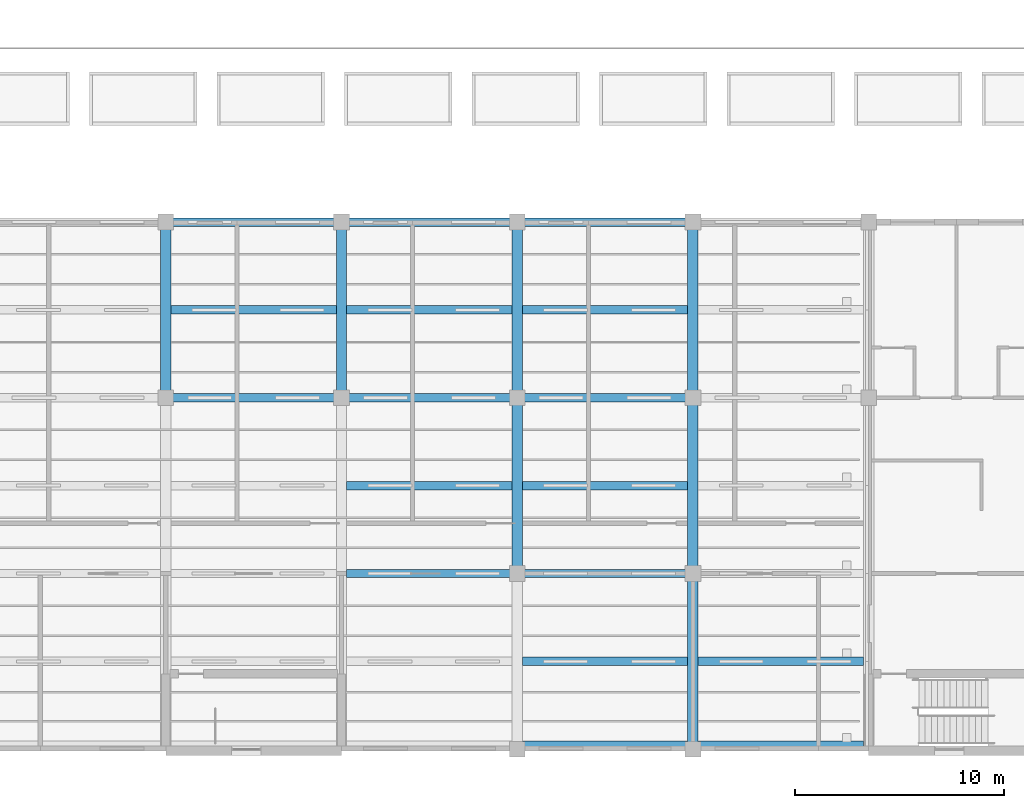
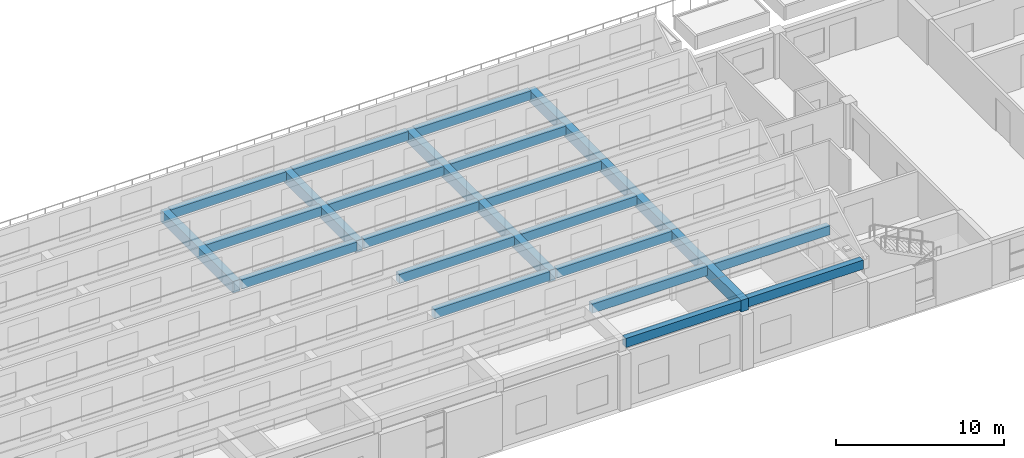
# One storey, part 10 of 61: 24 beams.
"""IFC4 building model written with IfcOpenShell, lengths in metres."""

from ifc_helpers import new_model, si_unit, direction, frame, origin, origin_2d, place, context, subcontext, project, spatial, rectangle, extrude, material, material_profile, profile_set, type_object, element, save


model = new_model("IFC4")

# Units and contexts
model_context = context("Model", 3, precision=1e-05, world=origin(), true_north=direction((0.0, 1.0)))
body_context = subcontext(model_context, "Body", "Model", "MODEL_VIEW")
ifc_project = project(units=[si_unit("LENGTHUNIT", "METRE"), si_unit("AREAUNIT", "SQUARE_METRE"), si_unit("VOLUMEUNIT", "CUBIC_METRE"), si_unit("PLANEANGLEUNIT", "RADIAN"), si_unit("MASSUNIT", "GRAM", prefix="KILO")], contexts=[model_context])

# Site, building, storey
site_placement = place(None, origin())
site = spatial("IfcSite", under=ifc_project, at=site_placement, CompositionType="ELEMENT")
building_placement = place(site_placement, origin())
building = spatial("IfcBuilding", under=site, at=building_placement, Name="Yavir Park General Hospital", CompositionType="ELEMENT")
storey_placement = place(building_placement, frame((0.0, 0.0, 15.300048828125)))
storey = spatial("IfcBuildingStorey", under=building, at=storey_placement, Name="L03", CompositionType="ELEMENT", Elevation=15.300048828125)

# Beams
ifc_material_1 = material(Name="Concrete C35/45", Category="concrete")
ifc_material_profile_1 = material_profile(ifc_material_1, rectangle(XDim=0.39990234375, YDim=0.659912109375, at=origin_2d()), Name="RC400x660")
ifc_profile_set_1 = profile_set([ifc_material_profile_1], Name="Concrete C35/45")
beam_type_1 = type_object("IfcBeamType", Name="RC BEAM 400x660 sawtooth kerb beam", PredefinedType="BEAM", material=ifc_profile_set_1)
beam_1_placement = place(storey_placement, frame((84.25, 0.199951171875, 4.516845703125), z_axis=(1.0, 0.0, 0.0), x_axis=(0.0, 1.0, 0.0)))
element("IfcBeam", 1, at=beam_1_placement, inside=storey, type_object=beam_type_1, Name="B:SAW:K0:5", PredefinedType="BEAM", context=body_context, shape_type="SweptSolid", body=[
    extrude(rectangle(XDim=0.39990234375, YDim=0.659912109375, at=origin_2d()), origin(), (0.0, 0.0, 1.0), 7.89990234375),
])
beam_2_placement = place(storey_placement, frame((92.64990234375, 0.199951171875, 4.516845703125), z_axis=(1.0, 0.0, 0.0), x_axis=(0.0, 1.0, 0.0)))
element("IfcBeam", 2, at=beam_2_placement, inside=storey, type_object=beam_type_1, Name="B:SAW:K0:6", PredefinedType="BEAM", context=body_context, shape_type="SweptSolid", body=[
    extrude(rectangle(XDim=0.39990234375, YDim=0.659912109375, at=origin_2d()), origin(), (0.0, 0.0, 1.0), 7.900146484375),
])
beam_3_placement = place(storey_placement, frame((84.25, 4.199951171875, 4.573974609375), z_axis=(1.0, 0.0, 0.0), x_axis=(0.0, 1.0, 0.0)))
element("IfcBeam", 3, at=beam_3_placement, inside=storey, type_object=beam_type_1, Name="B:SAW:K1:5", PredefinedType="BEAM", context=body_context, shape_type="SweptSolid", body=[
    extrude(rectangle(XDim=0.39990234375, YDim=0.659912109375, at=origin_2d()), origin(), (0.0, 0.0, 1.0), 7.89990234375),
])
beam_4_placement = place(storey_placement, frame((92.64990234375, 4.199951171875, 4.573974609375), z_axis=(1.0, 0.0, 0.0), x_axis=(0.0, 1.0, 0.0)))
element("IfcBeam", 4, at=beam_4_placement, inside=storey, type_object=beam_type_1, Name="B:SAW:K1:6", PredefinedType="BEAM", context=body_context, shape_type="SweptSolid", body=[
    extrude(rectangle(XDim=0.39990234375, YDim=0.659912109375, at=origin_2d()), origin(), (0.0, 0.0, 1.0), 7.900146484375),
])
for number, where, z_axis, x_axis, name in (
    (5, (75.85009765625, 8.39990234375, 4.573974609375), (1.0, 0.0, 0.0), (0.0, 1.0, 0.0), "B:SAW:K2:4"),
    (6, (84.25, 8.39990234375, 4.573974609375), (1.0, 0.0, 0.0), (0.0, 1.0, 0.0), "B:SAW:K2:5"),
    (7, (75.85009765625, 12.60009765625, 4.573974609375), (1.0, 0.0, 0.0), (0.0, 1.0, 0.0), "B:SAW:K3:4"),
    (8, (84.25, 12.60009765625, 4.573974609375), (1.0, 0.0, 0.0), (0.0, 1.0, 0.0), "B:SAW:K3:5"),
):
    element("IfcBeam", number, at=place(storey_placement, frame(where, z_axis=z_axis, x_axis=x_axis)), inside=storey, type_object=beam_type_1, Name=name, PredefinedType="BEAM", context=body_context, shape_type="SweptSolid", body=[
        extrude(rectangle(XDim=0.39990234375, YDim=0.659912109375, at=origin_2d()), origin(), (0.0, 0.0, 1.0), 7.89990234375),
    ])
beam_5_placement = place(storey_placement, frame((67.449951171875, 16.800048828125, 4.573974609375), z_axis=(1.0, 0.0, 0.0), x_axis=(0.0, 1.0, 0.0)))
element("IfcBeam", 9, at=beam_5_placement, inside=storey, type_object=beam_type_1, Name="B:SAW:K4:3", PredefinedType="BEAM", context=body_context, shape_type="SweptSolid", body=[
    extrude(rectangle(XDim=0.39990234375, YDim=0.659912109375, at=origin_2d()), origin(), (0.0, 0.0, 1.0), 7.900146484375),
])
for number, where, z_axis, x_axis, name in (
    (10, (75.85009765625, 16.800048828125, 4.573974609375), (1.0, 0.0, 0.0), (0.0, 1.0, 0.0), "B:SAW:K4:4"),
    (11, (84.25, 16.800048828125, 4.573974609375), (1.0, 0.0, 0.0), (0.0, 1.0, 0.0), "B:SAW:K4:5"),
):
    element("IfcBeam", number, at=place(storey_placement, frame(where, z_axis=z_axis, x_axis=x_axis)), inside=storey, type_object=beam_type_1, Name=name, PredefinedType="BEAM", context=body_context, shape_type="SweptSolid", body=[
        extrude(rectangle(XDim=0.39990234375, YDim=0.659912109375, at=origin_2d()), origin(), (0.0, 0.0, 1.0), 7.89990234375),
    ])
beam_6_placement = place(storey_placement, frame((67.449951171875, 21.0, 4.573974609375), z_axis=(1.0, 0.0, 0.0), x_axis=(0.0, 1.0, 0.0)))
element("IfcBeam", 12, at=beam_6_placement, inside=storey, type_object=beam_type_1, Name="B:SAW:K5:3", PredefinedType="BEAM", context=body_context, shape_type="SweptSolid", body=[
    extrude(rectangle(XDim=0.39990234375, YDim=0.659912109375, at=origin_2d()), origin(), (0.0, 0.0, 1.0), 7.900146484375),
])
for number, where, z_axis, x_axis, name in (
    (13, (75.85009765625, 21.0, 4.573974609375), (1.0, 0.0, 0.0), (0.0, 1.0, 0.0), "B:SAW:K5:4"),
    (14, (84.25, 21.0, 4.573974609375), (1.0, 0.0, 0.0), (0.0, 1.0, 0.0), "B:SAW:K5:5"),
):
    element("IfcBeam", number, at=place(storey_placement, frame(where, z_axis=z_axis, x_axis=x_axis)), inside=storey, type_object=beam_type_1, Name=name, PredefinedType="BEAM", context=body_context, shape_type="SweptSolid", body=[
        extrude(rectangle(XDim=0.39990234375, YDim=0.659912109375, at=origin_2d()), origin(), (0.0, 0.0, 1.0), 7.89990234375),
    ])
beam_7_placement = place(storey_placement, frame((67.449951171875, 25.199951171875, 4.573974609375), z_axis=(1.0, 0.0, 0.0), x_axis=(0.0, 1.0, 0.0)))
element("IfcBeam", 15, at=beam_7_placement, inside=storey, type_object=beam_type_1, Name="B:SAW:K6:3", PredefinedType="BEAM", context=body_context, shape_type="SweptSolid", body=[
    extrude(rectangle(XDim=0.39990234375, YDim=0.659912109375, at=origin_2d()), origin(), (0.0, 0.0, 1.0), 7.900146484375),
])
for number, where, z_axis, x_axis, name in (
    (16, (75.85009765625, 25.199951171875, 4.573974609375), (1.0, 0.0, 0.0), (0.0, 1.0, 0.0), "B:SAW:K6:4"),
    (17, (84.25, 25.199951171875, 4.573974609375), (1.0, 0.0, 0.0), (0.0, 1.0, 0.0), "B:SAW:K6:5"),
):
    element("IfcBeam", number, at=place(storey_placement, frame(where, z_axis=z_axis, x_axis=x_axis)), inside=storey, type_object=beam_type_1, Name=name, PredefinedType="BEAM", context=body_context, shape_type="SweptSolid", body=[
        extrude(rectangle(XDim=0.39990234375, YDim=0.659912109375, at=origin_2d()), origin(), (0.0, 0.0, 1.0), 7.89990234375),
    ])
ifc_material_2 = material(Name="Concrete C35/45", Category="concrete")
ifc_material_profile_2 = material_profile(ifc_material_2, rectangle(XDim=0.5, YDim=0.846923828125, at=origin_2d()), Name="RC500x847")
ifc_profile_set_2 = profile_set([ifc_material_profile_2], Name="Concrete C35/45")
beam_type_2 = type_object("IfcBeamType", Name="RC BEAM 500x847 sawtooth girder", PredefinedType="BEAM", material=ifc_profile_set_2)
for number, where, z_axis, x_axis, name in (
    (18, (67.199951171875, 16.800048828125, 4.42333984375), (0.0, 1.0, 0.0), (-1.0, 0.0, 0.0), "B:SAW:G3:1"),
    (19, (75.60009765625, 16.800048828125, 4.42333984375), (0.0, 1.0, 0.0), (-1.0, 0.0, 0.0), "B:SAW:G4:1"),
):
    element("IfcBeam", number, at=place(storey_placement, frame(where, z_axis=z_axis, x_axis=x_axis)), inside=storey, type_object=beam_type_2, Name=name, PredefinedType="BEAM", context=body_context, shape_type="SweptSolid", body=[
        extrude(rectangle(XDim=0.5, YDim=0.846923828125, at=origin_2d()), origin(), (0.0, 0.0, 1.0), 8.599853515625),
    ])
beam_8_placement = place(storey_placement, frame((84.0, 8.39990234375, 4.42333984375), z_axis=(0.0, 1.0, 0.0), x_axis=(-1.0, 0.0, 0.0)))
element("IfcBeam", 20, at=beam_8_placement, inside=storey, type_object=beam_type_2, Name="B:SAW:G5:1", PredefinedType="BEAM", context=body_context, shape_type="SweptSolid", body=[
    extrude(rectangle(XDim=0.5, YDim=0.846923828125, at=origin_2d()), origin(), (0.0, 0.0, 1.0), 8.400146484375),
])
beam_9_placement = place(storey_placement, frame((84.0, 16.800048828125, 4.42333984375), z_axis=(0.0, 1.0, 0.0), x_axis=(-1.0, 0.0, 0.0)))
element("IfcBeam", 21, at=beam_9_placement, inside=storey, type_object=beam_type_2, Name="B:SAW:G5:2", PredefinedType="BEAM", context=body_context, shape_type="SweptSolid", body=[
    extrude(rectangle(XDim=0.5, YDim=0.846923828125, at=origin_2d()), origin(), (0.0, 0.0, 1.0), 8.599853515625),
])
beam_10_placement = place(storey_placement, frame((92.39990234375, 0.0, 4.42333984375), z_axis=(0.0, 1.0, 0.0), x_axis=(-1.0, 0.0, 0.0)))
element("IfcBeam", 22, at=beam_10_placement, inside=storey, type_object=beam_type_2, Name="B:SAW:G6:0", PredefinedType="BEAM", context=body_context, shape_type="SweptSolid", body=[
    extrude(rectangle(XDim=0.5, YDim=0.846923828125, at=origin_2d()), origin(), (0.0, 0.0, 1.0), 8.39990234375),
])
beam_11_placement = place(storey_placement, frame((92.39990234375, 8.39990234375, 4.42333984375), z_axis=(0.0, 1.0, 0.0), x_axis=(-1.0, 0.0, 0.0)))
element("IfcBeam", 23, at=beam_11_placement, inside=storey, type_object=beam_type_2, Name="B:SAW:G6:1", PredefinedType="BEAM", context=body_context, shape_type="SweptSolid", body=[
    extrude(rectangle(XDim=0.5, YDim=0.846923828125, at=origin_2d()), origin(), (0.0, 0.0, 1.0), 8.400146484375),
])
beam_12_placement = place(storey_placement, frame((92.39990234375, 16.800048828125, 4.42333984375), z_axis=(0.0, 1.0, 0.0), x_axis=(-1.0, 0.0, 0.0)))
element("IfcBeam", 24, at=beam_12_placement, inside=storey, type_object=beam_type_2, Name="B:SAW:G6:2", PredefinedType="BEAM", context=body_context, shape_type="SweptSolid", body=[
    extrude(rectangle(XDim=0.5, YDim=0.846923828125, at=origin_2d()), origin(), (0.0, 0.0, 1.0), 8.599853515625),
])

save(model, "model.ifc")
